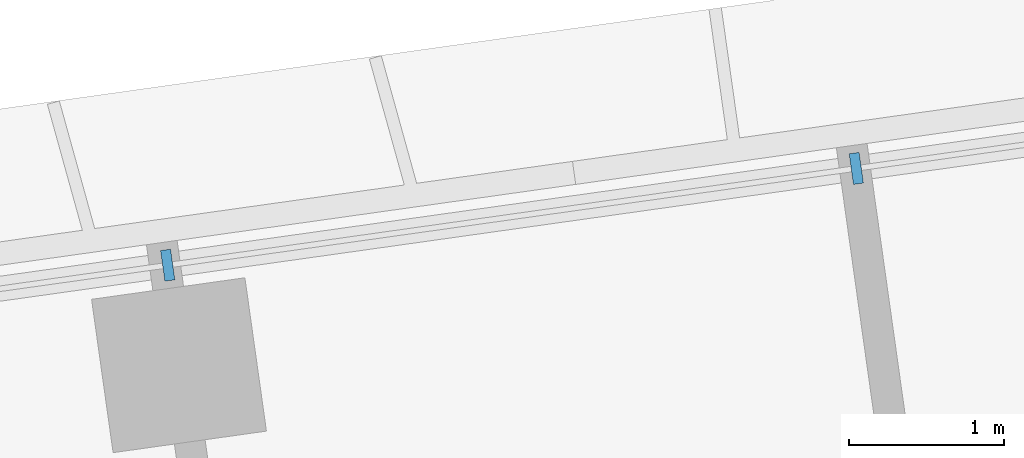
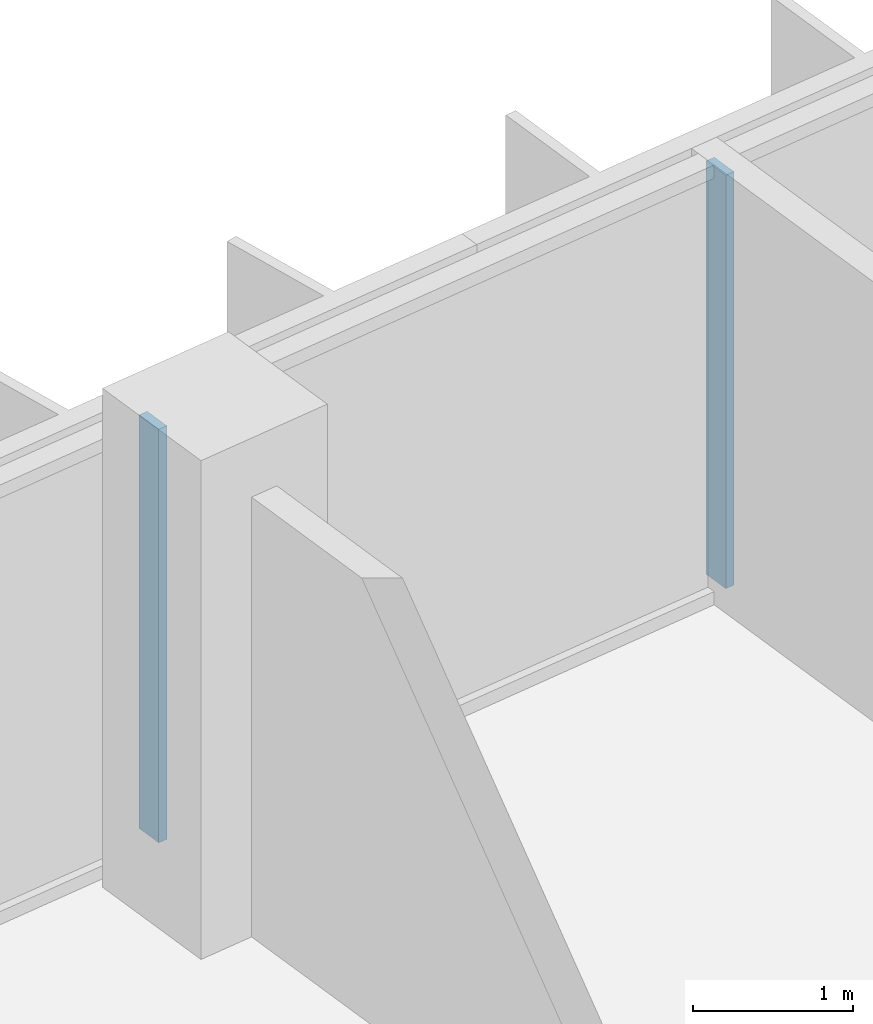
# One storey, part 8 of 24: 2 members, 1 element without a shape of its own.
"""IFC4 building model written with IfcOpenShell, lengths in metres."""

import ifcopenshell
import ifcopenshell.guid

model = None  # the IFC model being written
_history = None  # IfcOwnerHistory: only IFC2X3 demands one
_inside = {}  # id of a spatial element -> (the spatial element, [elements in it])
_under = {}  # id of a project, library or spatial element -> (it, [spatial elements below it])
_declared = {}  # id of a project -> (the project, [libraries it declares])
_typed = {}  # id of a type object -> (the type object, [elements of that type])
_made_of = {}  # id of a material, layer set ... -> (it, [elements and type objects made of it])


def new_model(schema):
    """Start an empty IFC model of exactly this schema.

    Asked for "IFC4X3", IfcOpenShell would pick the latest addendum, in which some entities
    have other attributes; the version numbers below select the first issue.
    IFC2X3 requires an IfcOwnerHistory on every rooted entity: one is made here for all.
    """
    global model, _history
    if schema == "IFC4X3":
        model = ifcopenshell.file(schema_version=(4, 3, 0, 0))
    else:
        model = ifcopenshell.file(schema=schema)
    _inside.clear()
    _under.clear()
    _declared.clear()
    _typed.clear()
    _made_of.clear()
    _history = None
    if model.schema == "IFC2X3":
        org = make("IfcOrganization", Name="unknown")
        user = make(
            "IfcPersonAndOrganization",
            ThePerson=make("IfcPerson", FamilyName="unknown"),
            TheOrganization=org,
        )
        app = make(
            "IfcApplication",
            ApplicationDeveloper=org,
            Version="unknown",
            ApplicationFullName="unknown",
            ApplicationIdentifier="unknown",
        )
        _history = make(
            "IfcOwnerHistory",
            OwningUser=user,
            OwningApplication=app,
            ChangeAction="ADDED",
            CreationDate=0,
        )
    return model


def make(cls, **values):
    """One entity of the class cls with the attributes given. An attribute that is None is left unset."""
    return model.create_entity(
        cls, **{name: value for name, value in values.items() if value is not None}
    )


def rooted(cls, **values):
    """An entity with a GlobalId (a new one), such as an element, a storey or a relation."""
    return make(cls, GlobalId=ifcopenshell.guid.new(), OwnerHistory=_history, **values)


def si_unit(unit_type, name, prefix=None):
    """IfcSIUnit, for example si_unit("LENGTHUNIT", "METRE", prefix="MILLI")."""
    return make("IfcSIUnit", UnitType=unit_type, Prefix=prefix, Name=name)


def assignment(units):
    """IfcUnitAssignment: the units of a project."""
    return None if units is None else make("IfcUnitAssignment", Units=units)


def point(xyz):
    """IfcCartesianPoint."""
    return None if xyz is None else make("IfcCartesianPoint", Coordinates=xyz)


def direction(xyz):
    """IfcDirection."""
    return None if xyz is None else make("IfcDirection", DirectionRatios=xyz)


def frame(location, z_axis=None, x_axis=None):
    """IfcAxis2Placement3D, a coordinate frame: its origin and axes. An axis left out is left unset."""
    return make(
        "IfcAxis2Placement3D",
        Location=point(location),
        Axis=direction(z_axis),
        RefDirection=direction(x_axis),
    )


def frame_2d(location, x_axis=None):
    """IfcAxis2Placement2D, a coordinate frame in the plane: its origin and x axis."""
    return make(
        "IfcAxis2Placement2D", Location=point(location), RefDirection=direction(x_axis)
    )


def origin():
    """The frame at (0, 0, 0) with its axes left unset."""
    return frame((0.0, 0.0, 0.0))


def origin_2d():
    """The frame at (0, 0) in the plane with its x axis left unset."""
    return frame_2d((0.0, 0.0))


def place(relative_to, where):
    """IfcLocalPlacement: puts the frame where relative to a parent placement (None: the world)."""
    return make(
        "IfcLocalPlacement", PlacementRelTo=relative_to, RelativePlacement=where
    )


def context(
    kind, dimensions, precision=None, world=None, true_north=None, identifier=None
):
    """IfcGeometricRepresentationContext, for example the 3D "Model" context."""
    return make(
        "IfcGeometricRepresentationContext",
        ContextIdentifier=identifier,
        ContextType=kind,
        CoordinateSpaceDimension=dimensions,
        Precision=precision,
        WorldCoordinateSystem=world,
        TrueNorth=true_north,
    )


def subcontext(parent, identifier, kind, view, scale=None):
    """IfcGeometricRepresentationSubContext, for example "Body" below "Model"."""
    return make(
        "IfcGeometricRepresentationSubContext",
        ContextIdentifier=identifier,
        ContextType=kind,
        ParentContext=parent,
        TargetScale=scale,
        TargetView=view,
    )


def project(units=None, contexts=None):
    """IfcProject with its units and contexts."""
    return rooted(
        "IfcProject",
        Name="project",
        RepresentationContexts=contexts,
        UnitsInContext=assignment(units),
    )


def spatial(cls, under=None, at=None, **own):
    """A site, building, storey or space (cls), placed at a placement, below another one or the project."""
    s = rooted(cls, ObjectPlacement=at, **own)
    if under is not None:
        _under.setdefault(under.id(), (under, []))[1].append(s)
    return s


def profile(cls, at=None, kind="AREA", **sizes):
    """A parametric profile (cls). Its sizes go by their IFC names, for example OverallWidth=200.0."""
    return make(cls, ProfileType=kind, Position=at, **sizes)


def rectangle(**sizes):
    """IfcRectangleProfileDef."""
    return profile("IfcRectangleProfileDef", **sizes)


def extrude(swept, where, along, depth):
    """IfcExtrudedAreaSolid: the profile swept, set in the frame where, extruded along a direction by depth."""
    return make(
        "IfcExtrudedAreaSolid",
        SweptArea=swept,
        Position=where,
        ExtrudedDirection=direction(along),
        Depth=depth,
    )


def shape(context_of_items, identifier, shape_type, items):
    """IfcShapeRepresentation: the items that make up one representation, for example the "Body"."""
    return make(
        "IfcShapeRepresentation",
        ContextOfItems=context_of_items,
        RepresentationIdentifier=identifier,
        RepresentationType=shape_type,
        Items=items,
    )


def material(Name=None, Category=None):
    """IfcMaterial."""
    return make("IfcMaterial", Name=Name, Category=Category)


def material_profile(
    of_material, cross_section, Name=None, Category=None, Priority=None
):
    """IfcMaterialProfile: a cross section and its material."""
    return make(
        "IfcMaterialProfile",
        Name=Name,
        Material=of_material,
        Profile=cross_section,
        Priority=Priority,
        Category=Category,
    )


def profile_set(profiles, Name=None, composite=None):
    """IfcMaterialProfileSet."""
    return make(
        "IfcMaterialProfileSet",
        Name=Name,
        MaterialProfiles=profiles,
        CompositeProfile=composite,
    )


def made_of(thing, what):
    """Note that an element or type object is made of a material, layer set ...; save() writes the relation."""
    if what is not None:
        _made_of.setdefault(what.id(), (what, []))[1].append(thing)
    return thing


def type_object(cls, material=None, **own):
    """A type object (cls), such as IfcWallType, which elements share."""
    return made_of(rooted(cls, **own), material)


def element(
    cls,
    number,
    at=None,
    inside=None,
    cuts=None,
    type_object=None,
    material=None,
    context=None,
    identifier="Body",
    shape_type=None,
    held_by="IfcProductDefinitionShape",
    body=None,
    shapes=None,
    **own,
):
    """One element of the class cls, such as IfcWall. Its Tag is "e" and its number.

    at: its placement. inside: the storey or other place that contains it. cuts: it is an
    opening in that element (IfcRelVoidsElement). A single representation is given by context,
    identifier, shape_type and body (its items); several are given by shapes. held_by: the class
    of the entity that holds the representations. save() writes the other relations.
    """
    e = rooted(cls, Tag="e%d" % number, ObjectPlacement=at, **own)
    if body is not None:
        shapes = [shape(context, identifier, shape_type, body)]
    if shapes is not None:
        e.Representation = make(held_by, Representations=shapes)
    if inside is not None:
        _inside.setdefault(inside.id(), (inside, []))[1].append(e)
    if cuts is not None:
        rooted(
            "IfcRelVoidsElement", RelatingBuildingElement=cuts, RelatedOpeningElement=e
        )
    if type_object is not None:
        _typed.setdefault(type_object.id(), (type_object, []))[1].append(e)
    return made_of(e, material)


def aggregate(whole, parts):
    """IfcRelAggregates: a whole, such as a stair, and the parts it consists of."""
    return rooted("IfcRelAggregates", RelatingObject=whole, RelatedObjects=parts)


def save(model, path):
    """Write the relations noted so far, then the file.

    IfcRelAggregates (storeys below a building ...), IfcRelContainedInSpatialStructure (elements
    in a storey), IfcRelDefinesByType, IfcRelAssociatesMaterial and IfcRelDeclares: one each for
    every whole, place, type object, material and project.
    """
    for whole, parts in _under.values():
        aggregate(whole, parts)
    for where, things in _inside.values():
        rooted(
            "IfcRelContainedInSpatialStructure",
            RelatedElements=things,
            RelatingStructure=where,
        )
    for kind, things in _typed.values():
        rooted("IfcRelDefinesByType", RelatedObjects=things, RelatingType=kind)
    for what, things in _made_of.values():
        rooted("IfcRelAssociatesMaterial", RelatedObjects=things, RelatingMaterial=what)
    for by, libraries in _declared.values():
        rooted("IfcRelDeclares", RelatingContext=by, RelatedDefinitions=libraries)
    model.write(path)


model = new_model("IFC4")

# Units and contexts
model_context = context("Model", 3, precision=1e-05, world=origin(), true_north=direction((0.0, 1.0)))
body_context = subcontext(model_context, "Body", "Model", "MODEL_VIEW")
ifc_project = project(units=[si_unit("LENGTHUNIT", "METRE"), si_unit("AREAUNIT", "SQUARE_METRE"), si_unit("VOLUMEUNIT", "CUBIC_METRE"), si_unit("PLANEANGLEUNIT", "RADIAN"), si_unit("MASSUNIT", "GRAM", prefix="KILO")], contexts=[model_context])

# Site, building, storey
site_placement = place(None, origin())
site = spatial("IfcSite", under=ifc_project, at=site_placement, CompositionType="ELEMENT")
building_placement = place(site_placement, origin())
building = spatial("IfcBuilding", under=site, at=building_placement, Name="Mirante Cascada Hotel Towers", CompositionType="ELEMENT")
storey_placement = place(building_placement, frame((0.0, 0.0, 47.1)))
storey = spatial("IfcBuildingStorey", under=building, at=storey_placement, Name="L08", CompositionType="ELEMENT", Elevation=47.1)

# Curtain wall, members
ifc_material_1 = material(Name="Aluminium mullion and transom frame with clear laminated glass", Category="aluminium")
curtain_wall_type = type_object("IfcCurtainWallType", Name="Ribbon curtain wall ECW1", PredefinedType="NOTDEFINED", material=ifc_material_1)
curtain_wall_placement = place(storey_placement, origin())
curtain_wall = element("IfcCurtainWall", 1, at=curtain_wall_placement, inside=storey, type_object=curtain_wall_type, Name="Front ribbon wall T2 L08", PredefinedType="NOTDEFINED")
ifc_material_2 = material(Name="Anodised aluminium extrusion", Category="aluminium")
ifc_material_profile = material_profile(ifc_material_2, rectangle(XDim=0.2, YDim=0.065, at=origin_2d()), Name="ECW1 MULLION 65x200")
ifc_profile_set = profile_set([ifc_material_profile], Name="Anodised aluminium extrusion")
member_type = type_object("IfcMemberType", Name="ECW1 mullion 65x200", PredefinedType="MULLION", material=ifc_profile_set)
member_1_placement = place(storey_placement, frame((58.5788, 21.0517, 0.1), z_axis=(0.0, 0.0, 1.0), x_axis=(0.1391731, -0.9902681, 0.0)))
member_1 = element("IfcMember", 2, at=member_1_placement, type_object=member_type, Name="ECW1 mullion 9", PredefinedType="MULLION", context=body_context, shape_type="SweptSolid", body=[
    extrude(rectangle(XDim=0.2, YDim=0.065, at=origin_2d()), origin(), (0.0, 0.0, 1.0), 3.15),
])
member_2_placement = place(storey_placement, frame((54.1314, 20.4267, 0.1), z_axis=(0.0, 0.0, 1.0), x_axis=(0.1391731, -0.9902681, 0.0)))
member_2 = element("IfcMember", 3, at=member_2_placement, type_object=member_type, Name="ECW1 mullion 10", PredefinedType="MULLION", context=body_context, shape_type="SweptSolid", body=[
    extrude(rectangle(XDim=0.2, YDim=0.065, at=origin_2d()), origin(), (0.0, 0.0, 1.0), 3.15),
])
aggregate(curtain_wall, [member_1, member_2])

save(model, "model.ifc")
